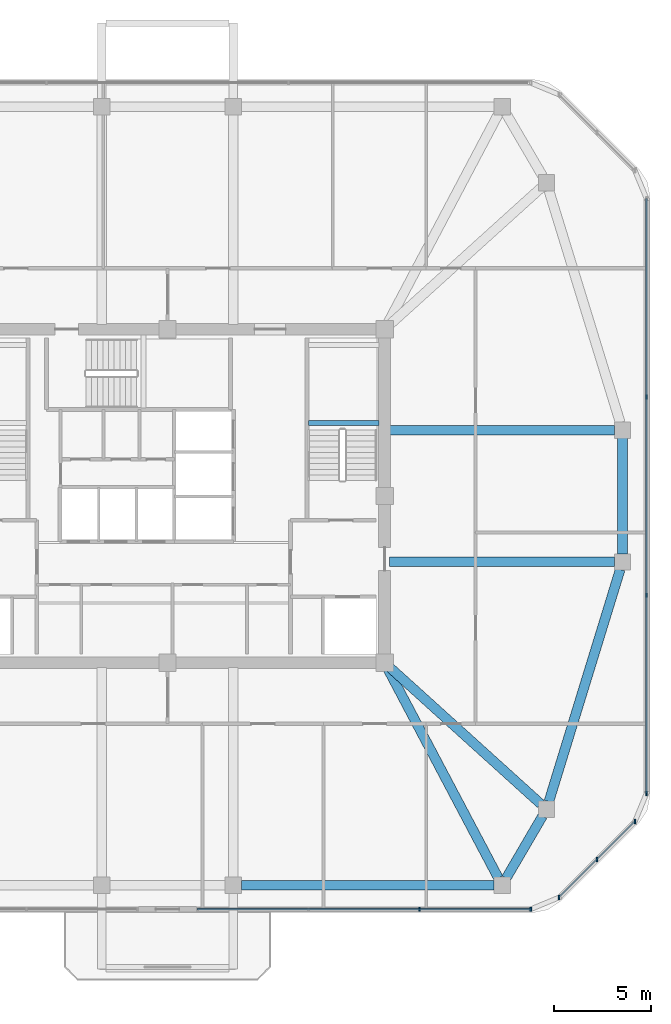
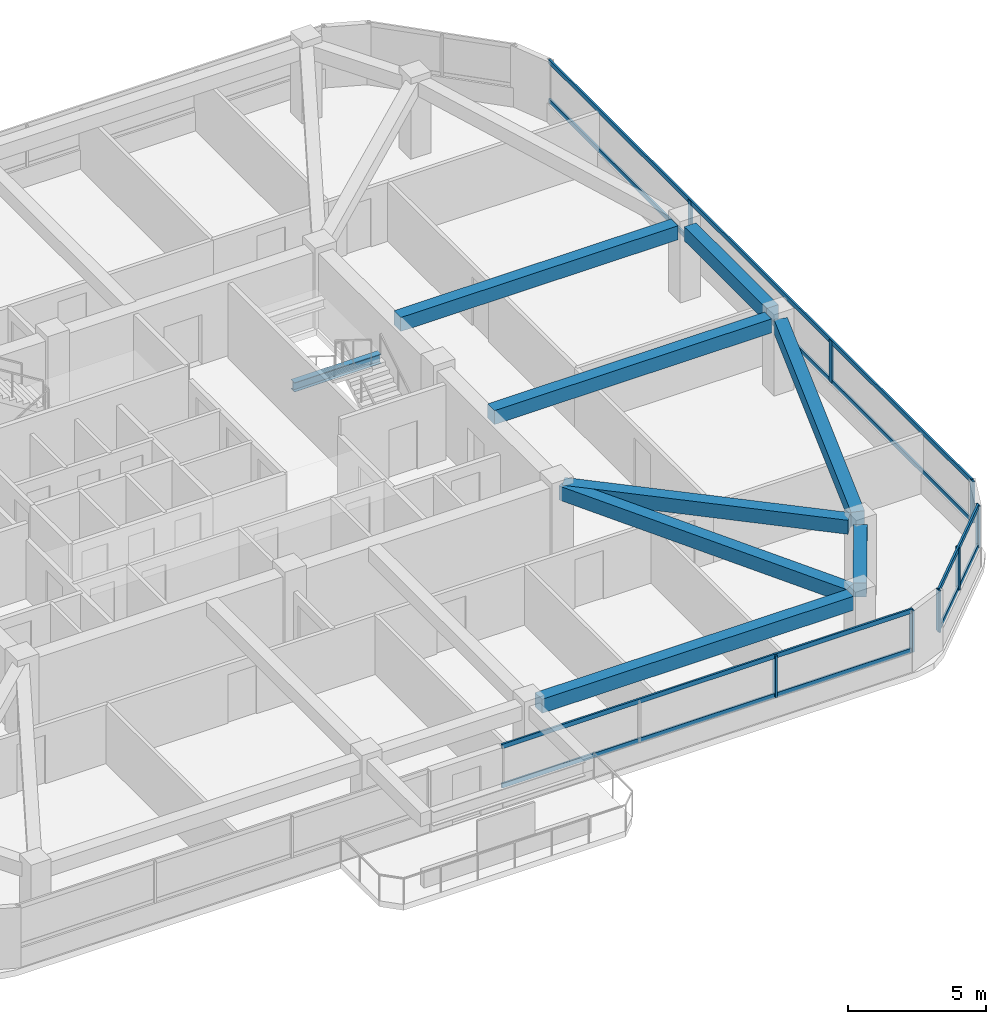
# One storey, part 3 of 13: 14 members, 9 beams, 3 elements without a shape of their own.
"""IFC4 building model written with IfcOpenShell, lengths in metres."""

from ifc_helpers import new_model, si_unit, derived_unit, direction, frame, origin, origin_2d, place, context, subcontext, project, spatial, rectangle, i_section, extrude, material, material_profile, profile_set, type_object, element, aggregate, save


model = new_model("IFC4")

# Units and contexts
model_context = context("Model", 3, precision=1e-05, world=origin(), true_north=direction((0.0, 1.0)))
body_context = subcontext(model_context, "Body", "Model", "MODEL_VIEW")
ifc_project = project(units=[si_unit("LENGTHUNIT", "METRE"), si_unit("AREAUNIT", "SQUARE_METRE"), si_unit("VOLUMEUNIT", "CUBIC_METRE"), si_unit("PLANEANGLEUNIT", "RADIAN"), si_unit("MASSUNIT", "GRAM", prefix="KILO"), derived_unit("THERMALTRANSMITTANCEUNIT", [(si_unit("POWERUNIT", "WATT"), 1), (si_unit("LENGTHUNIT", "METRE"), -2), (si_unit("THERMODYNAMICTEMPERATUREUNIT", "KELVIN"), -1)])], contexts=[model_context])

# Site, building, storey
site_placement = place(None, origin())
site = spatial("IfcSite", under=ifc_project, at=site_placement, CompositionType="ELEMENT")
building_placement = place(site_placement, origin())
building = spatial("IfcBuilding", under=site, at=building_placement, Name="Koralith Skygarden Medical Center", CompositionType="ELEMENT")
storey_placement = place(building_placement, frame((0.0, 0.0, 250.02001953125)))
storey = spatial("IfcBuildingStorey", under=building, at=storey_placement, Name="L64", CompositionType="ELEMENT", Elevation=250.02001953125)

# Curtain wall, members
ifc_material_1 = material(Name="Clear Laminated Glass", Category="glass")
curtain_wall_type = type_object("IfcCurtainWallType", Name="CW-6 Zone 5 Upper Clinical Curtain Wall", PredefinedType="NOTDEFINED", material=ifc_material_1)
curtain_wall_1_placement = place(storey_placement, origin())
curtain_wall_1 = element("IfcCurtainWall", 1, at=curtain_wall_1_placement, inside=storey, type_object=curtain_wall_type, Name="Curtain Wall CW-L64-S-R", PredefinedType="NOTDEFINED")
ifc_material_2 = material(Name="Aluminium 6063-T6", Category="aluminium")
ifc_material_profile_1 = material_profile(ifc_material_2, rectangle(XDim=0.0830078125, YDim=0.219970703125, at=origin_2d()), Name="MUL83X220")
ifc_profile_set_1 = profile_set([ifc_material_profile_1], Name="Aluminium 6063-T6")
member_type_1 = type_object("IfcMemberType", Name="CW-6 Extruded Mullion 83x220", PredefinedType="MULLION", material=ifc_profile_set_1)
member_1_placement = place(storey_placement, frame((50.010009765625, 4.580078125, 0.85009765625), z_axis=(0.0, 0.0, 1.0), x_axis=(1.0, 0.0, 0.0)))
member_1 = element("IfcMember", 2, at=member_1_placement, type_object=member_type_1, Name="CW-L64-S-R Mullion 3", PredefinedType="MULLION", context=body_context, shape_type="SweptSolid", body=[
    extrude(rectangle(XDim=0.0830078125, YDim=0.219970703125, at=origin_2d()), origin(), (0.0, 0.0, 1.0), 1.83984375),
])
member_2_placement = place(storey_placement, frame((55.7451171875, 4.580078125, 0.85009765625), z_axis=(0.0, 0.0, 1.0), x_axis=(1.0, 0.0, 0.0)))
member_2 = element("IfcMember", 3, at=member_2_placement, type_object=member_type_1, Name="CW-L64-S-R Mullion 4", PredefinedType="MULLION", context=body_context, shape_type="SweptSolid", body=[
    extrude(rectangle(XDim=0.0830078125, YDim=0.219970703125, at=origin_2d()), origin(), (0.0, 0.0, 1.0), 1.83984375),
])

curtain_wall_2_placement = place(storey_placement, origin())
curtain_wall_2 = element("IfcCurtainWall", 4, at=curtain_wall_2_placement, inside=storey, type_object=curtain_wall_type, Name="Curtain Wall CW-L64-SE", PredefinedType="NOTDEFINED")
member_3_placement = place(storey_placement, frame((57.196044921875, 5.180908203125, 0.85009765625), z_axis=(0.0, 0.0, 1.0), x_axis=(1.0, 0.0, 0.0)))
member_3 = element("IfcMember", 5, at=member_3_placement, type_object=member_type_1, Name="CW-L64-SE Mullion 1", PredefinedType="MULLION", context=body_context, shape_type="SweptSolid", body=[
    extrude(rectangle(XDim=0.0830078125, YDim=0.219970703125, at=origin_2d()), origin(), (0.0, 0.0, 1.0), 1.83984375),
])
member_4_placement = place(storey_placement, frame((59.156982421875, 7.14306640625, 0.85009765625), z_axis=(0.0, 0.0, 1.0), x_axis=(1.0, 0.0, 0.0)))
member_4 = element("IfcMember", 6, at=member_4_placement, type_object=member_type_1, Name="CW-L64-SE Mullion 2", PredefinedType="MULLION", context=body_context, shape_type="SweptSolid", body=[
    extrude(rectangle(XDim=0.0830078125, YDim=0.219970703125, at=origin_2d()), origin(), (0.0, 0.0, 1.0), 1.83984375),
])
member_5_placement = place(storey_placement, frame((61.118896484375, 9.10400390625, 0.85009765625), z_axis=(0.0, 0.0, 1.0), x_axis=(1.0, 0.0, 0.0)))
member_5 = element("IfcMember", 7, at=member_5_placement, type_object=member_type_1, Name="CW-L64-SE Mullion 3", PredefinedType="MULLION", context=body_context, shape_type="SweptSolid", body=[
    extrude(rectangle(XDim=0.0830078125, YDim=0.219970703125, at=origin_2d()), origin(), (0.0, 0.0, 1.0), 1.83984375),
])

curtain_wall_3_placement = place(storey_placement, origin())
curtain_wall_3 = element("IfcCurtainWall", 8, at=curtain_wall_3_placement, inside=storey, type_object=curtain_wall_type, Name="Curtain Wall CW-L64-E", PredefinedType="NOTDEFINED")
member_6_placement = place(storey_placement, frame((61.719970703125, 10.554931640625, 0.85009765625), z_axis=(0.0, 0.0, 1.0), x_axis=(1.0, 0.0, 0.0)))
member_6 = element("IfcMember", 9, at=member_6_placement, type_object=member_type_1, Name="CW-L64-E Mullion 1", PredefinedType="MULLION", context=body_context, shape_type="SweptSolid", body=[
    extrude(rectangle(XDim=0.0830078125, YDim=0.219970703125, at=origin_2d()), origin(), (0.0, 0.0, 1.0), 1.83984375),
])
member_7_placement = place(storey_placement, frame((61.719970703125, 20.784912109375, 0.85009765625), z_axis=(0.0, 0.0, 1.0), x_axis=(1.0, 0.0, 0.0)))
member_7 = element("IfcMember", 10, at=member_7_placement, type_object=member_type_1, Name="CW-L64-E Mullion 2", PredefinedType="MULLION", context=body_context, shape_type="SweptSolid", body=[
    extrude(rectangle(XDim=0.0830078125, YDim=0.219970703125, at=origin_2d()), origin(), (0.0, 0.0, 1.0), 1.83984375),
])
member_8_placement = place(storey_placement, frame((61.719970703125, 31.014892578125, 0.85009765625), z_axis=(0.0, 0.0, 1.0), x_axis=(1.0, 0.0, 0.0)))
member_8 = element("IfcMember", 11, at=member_8_placement, type_object=member_type_1, Name="CW-L64-E Mullion 3", PredefinedType="MULLION", context=body_context, shape_type="SweptSolid", body=[
    extrude(rectangle(XDim=0.0830078125, YDim=0.219970703125, at=origin_2d()), origin(), (0.0, 0.0, 1.0), 1.83984375),
])

# Member
ifc_material_profile_2 = material_profile(ifc_material_2, rectangle(XDim=0.077880859375, YDim=0.197998046875, at=origin_2d()), Name="TRN78X198")
ifc_profile_set_2 = profile_set([ifc_material_profile_2], Name="Aluminium 6063-T6")
member_type_2 = type_object("IfcMemberType", Name="CW-6 Thermal Transom 78x198", PredefinedType="USERDEFINED", material=ifc_profile_set_2)
member_9_placement = place(storey_placement, frame((38.5390625, 4.580078125, 0.89990234375), z_axis=(1.0, 0.0, 0.0), x_axis=(0.0, 1.0, 0.0)))
member_9 = element("IfcMember", 12, at=member_9_placement, type_object=member_type_2, Name="CW-L64-S-R Transom 1", ObjectType="TRANSOM", PredefinedType="USERDEFINED", context=body_context, shape_type="SweptSolid", body=[
    extrude(rectangle(XDim=0.077880859375, YDim=0.197998046875, at=origin_2d()), origin(), (0.0, 0.0, 1.0), 17.2060546875),
])

member_10_placement = place(storey_placement, frame((38.5390625, 4.580078125, 2.639892578125), z_axis=(1.0, 0.0, 0.0), x_axis=(0.0, 1.0, 0.0)))
member_10 = element("IfcMember", 13, at=member_10_placement, type_object=member_type_2, Name="CW-L64-S-R Transom 2", ObjectType="TRANSOM", PredefinedType="USERDEFINED", context=body_context, shape_type="SweptSolid", body=[
    extrude(rectangle(XDim=0.077880859375, YDim=0.197998046875, at=origin_2d()), origin(), (0.0, 0.0, 1.0), 17.2060546875),
])

aggregate(curtain_wall_1, [member_1, member_2, member_9, member_10])

member_11_placement = place(storey_placement, frame((57.196044921875, 5.180908203125, 0.89990234375), z_axis=(0.707084777957, 0.707128783731, 0.0), x_axis=(-0.707128783731, 0.707084777957, 0.0)))
member_11 = element("IfcMember", 14, at=member_11_placement, type_object=member_type_2, Name="CW-L64-SE Transom 1", ObjectType="TRANSOM", PredefinedType="USERDEFINED", context=body_context, shape_type="SweptSolid", body=[
    extrude(rectangle(XDim=0.077880859375, YDim=0.197998046875, at=origin_2d()), origin(), (0.0, 0.0, 1.0), 5.5478515625),
])

member_12_placement = place(storey_placement, frame((57.196044921875, 5.180908203125, 2.639892578125), z_axis=(0.707084777957, 0.707128783731, 0.0), x_axis=(-0.707128783731, 0.707084777957, 0.0)))
member_12 = element("IfcMember", 15, at=member_12_placement, type_object=member_type_2, Name="CW-L64-SE Transom 2", ObjectType="TRANSOM", PredefinedType="USERDEFINED", context=body_context, shape_type="SweptSolid", body=[
    extrude(rectangle(XDim=0.077880859375, YDim=0.197998046875, at=origin_2d()), origin(), (0.0, 0.0, 1.0), 5.5478515625),
])

aggregate(curtain_wall_2, [member_3, member_4, member_5, member_11, member_12])

member_13_placement = place(storey_placement, frame((61.719970703125, 10.554931640625, 0.89990234375), z_axis=(0.0, 1.0, 0.0), x_axis=(-1.0, 0.0, 0.0)))
member_13 = element("IfcMember", 16, at=member_13_placement, type_object=member_type_2, Name="CW-L64-E Transom 1", ObjectType="TRANSOM", PredefinedType="USERDEFINED", context=body_context, shape_type="SweptSolid", body=[
    extrude(rectangle(XDim=0.077880859375, YDim=0.197998046875, at=origin_2d()), origin(), (0.0, 0.0, 1.0), 30.690185546875),
])

member_14_placement = place(storey_placement, frame((61.719970703125, 10.554931640625, 2.639892578125), z_axis=(0.0, 1.0, 0.0), x_axis=(-1.0, 0.0, 0.0)))
member_14 = element("IfcMember", 17, at=member_14_placement, type_object=member_type_2, Name="CW-L64-E Transom 2", ObjectType="TRANSOM", PredefinedType="USERDEFINED", context=body_context, shape_type="SweptSolid", body=[
    extrude(rectangle(XDim=0.077880859375, YDim=0.197998046875, at=origin_2d()), origin(), (0.0, 0.0, 1.0), 30.690185546875),
])

aggregate(curtain_wall_3, [member_6, member_7, member_8, member_13, member_14])

# Beams
ifc_material_3 = material(Name="Steel ASTM A992 Grade 50", Category="steel")
ifc_material_profile_3 = material_profile(ifc_material_3, i_section(OverallWidth=0.260009765625, OverallDepth=0.4150390625, WebThickness=0.010009765625, FlangeThickness=0.016845703125, at=origin_2d()), Name="W16X67")
ifc_profile_set_3 = profile_set([ifc_material_profile_3], Name="Steel ASTM A992 Grade 50")
beam_type_1 = type_object("IfcBeamType", Name="Clinical Floor Joist W16X67", PredefinedType="JOIST", material=ifc_profile_set_3)
beam_1_placement = place(storey_placement, frame((44.280029296875, 29.659912109375, 1.39208984375), z_axis=(1.0, 0.0, 0.0), x_axis=(0.0, 1.0, 0.0)))
element("IfcBeam", 18, at=beam_1_placement, inside=storey, type_object=beam_type_1, Name="L64 Stair ST2 Half-Landing Support Beam 1A", PredefinedType="JOIST", context=body_context, shape_type="SweptSolid", body=[
    extrude(i_section(OverallWidth=0.260009765625, OverallDepth=0.4150390625, WebThickness=0.010009765625, FlangeThickness=0.016845703125, at=origin_2d()), origin(), (0.0, 0.0, 1.0), 3.639892578125),
])
ifc_material_4 = material(Name="Concrete C45/55", Category="concrete")
ifc_material_profile_4 = material_profile(ifc_material_4, rectangle(XDim=0.5, YDim=0.6201171875, at=origin_2d()), Name="RCB500X620")
ifc_profile_set_4 = profile_set([ifc_material_profile_4], Name="Concrete C45/55")
beam_type_2 = type_object("IfcBeamType", Name="Upper Radial Collector Beam RCB500X620", PredefinedType="BEAM", material=ifc_profile_set_4)
beam_2_placement = place(storey_placement, frame((48.31689453125, 17.0791015625, 3.010009765625), z_axis=(0.46724871287, -0.884125918816, 0.0), x_axis=(0.884125918816, 0.46724871287, 0.0)))
element("IfcBeam", 19, at=beam_2_placement, inside=storey, type_object=beam_type_2, Name="L64 Radial Collector Beam RB-06", PredefinedType="BEAM", context=body_context, shape_type="SweptSolid", body=[
    extrude(rectangle(XDim=0.5, YDim=0.6201171875, at=origin_2d()), origin(), (0.0, 0.0, 1.0), 12.325439453125),
])
beam_3_placement = place(storey_placement, frame((48.385009765625, 17.132080078125, 3.010009765625), z_axis=(0.741736323186, -0.670691603397, 0.0), x_axis=(0.670691603397, 0.741736323186, 0.0)))
element("IfcBeam", 20, at=beam_3_placement, inside=storey, type_object=beam_type_2, Name="L64 Radial Collector Beam RB-07", PredefinedType="BEAM", context=body_context, shape_type="SweptSolid", body=[
    extrude(rectangle(XDim=0.5, YDim=0.6201171875, at=origin_2d()), origin(), (0.0, 0.0, 1.0), 10.61181640625),
])
for number, where, z_axis, x_axis, name in (
    (21, (48.449951171875, 22.5, 3.010009765625), (1.0, 0.0, 0.0), (0.0, 1.0, 0.0), "L64 Radial Collector Beam RB-08"),
    (22, (48.449951171875, 29.300048828125, 3.010009765625), (1.0, 0.0, 0.0), (0.0, 1.0, 0.0), "L64 Radial Collector Beam RB-09"),
):
    element("IfcBeam", number, at=place(storey_placement, frame(where, z_axis=z_axis, x_axis=x_axis)), inside=storey, type_object=beam_type_2, Name=name, PredefinedType="BEAM", context=body_context, shape_type="SweptSolid", body=[
        extrude(rectangle(XDim=0.5, YDim=0.6201171875, at=origin_2d()), origin(), (0.0, 0.0, 1.0), 11.6201171875),
    ])
ifc_material_profile_5 = material_profile(ifc_material_4, rectangle(XDim=0.5, YDim=0.6201171875, at=origin_2d()), Name="RCB500X620")
ifc_profile_set_5 = profile_set([ifc_material_profile_5], Name="Concrete C45/55")
beam_type_3 = type_object("IfcBeamType", Name="Zone 4-5 Spandrel Beam RCB500X620", PredefinedType="SPANDREL", material=ifc_profile_set_5)
beam_4_placement = place(storey_placement, frame((40.81005859375, 5.820068359375, 3.010009765625), z_axis=(1.0, 0.0, 0.0), x_axis=(0.0, 1.0, 0.0)))
element("IfcBeam", 23, at=beam_4_placement, inside=storey, type_object=beam_type_3, Name="L64 Perimeter Spandrel Beam SP-05", PredefinedType="SPANDREL", context=body_context, shape_type="SweptSolid", body=[
    extrude(rectangle(XDim=0.5, YDim=0.6201171875, at=origin_2d()), origin(), (0.0, 0.0, 1.0), 13.0478515625),
])
beam_5_placement = place(storey_placement, frame((54.47509765625, 6.174072265625, 3.010009765625), z_axis=(0.50473571007, 0.863273921175, 0.0), x_axis=(-0.863273921175, 0.50473571007, 0.0)))
element("IfcBeam", 24, at=beam_5_placement, inside=storey, type_object=beam_type_3, Name="L64 Perimeter Spandrel Beam SP-06", PredefinedType="SPANDREL", context=body_context, shape_type="SweptSolid", body=[
    extrude(rectangle(XDim=0.5, YDim=0.6201171875, at=origin_2d()), origin(), (0.0, 0.0, 1.0), 3.720703125),
])
beam_6_placement = place(storey_placement, frame((56.679931640625, 10.132080078125, 3.010009765625), z_axis=(0.293743494914, 0.955884281279, 0.0), x_axis=(-0.955884281279, 0.293743494914, 0.0)))
element("IfcBeam", 25, at=beam_6_placement, inside=storey, type_object=beam_type_3, Name="L64 Perimeter Spandrel Beam SP-07", PredefinedType="SPANDREL", context=body_context, shape_type="SweptSolid", body=[
    extrude(rectangle(XDim=0.5, YDim=0.6201171875, at=origin_2d()), origin(), (0.0, 0.0, 1.0), 12.528564453125),
])
beam_7_placement = place(storey_placement, frame((60.47998046875, 22.909912109375, 3.010009765625), z_axis=(0.0, 1.0, 0.0), x_axis=(-1.0, 0.0, 0.0)))
element("IfcBeam", 26, at=beam_7_placement, inside=storey, type_object=beam_type_3, Name="L64 Perimeter Spandrel Beam SP-08", PredefinedType="SPANDREL", context=body_context, shape_type="SweptSolid", body=[
    extrude(rectangle(XDim=0.5, YDim=0.6201171875, at=origin_2d()), origin(), (0.0, 0.0, 1.0), 5.97998046875),
])

save(model, "model.ifc")
